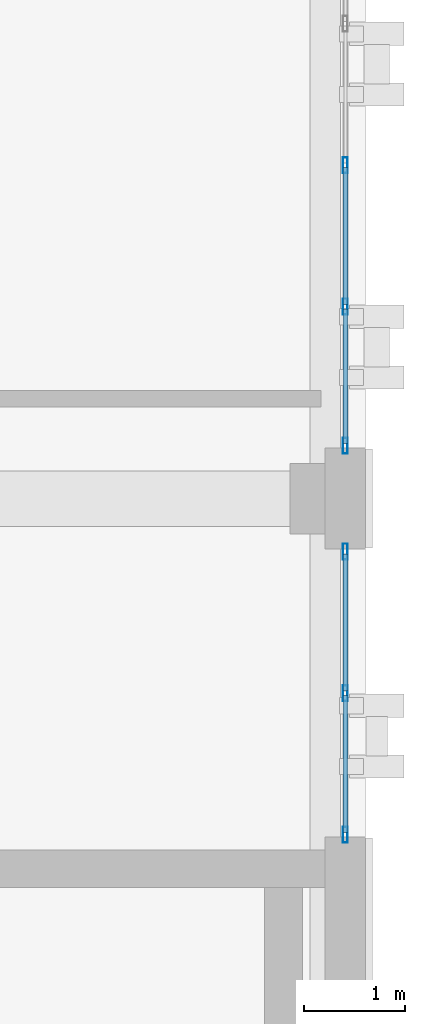
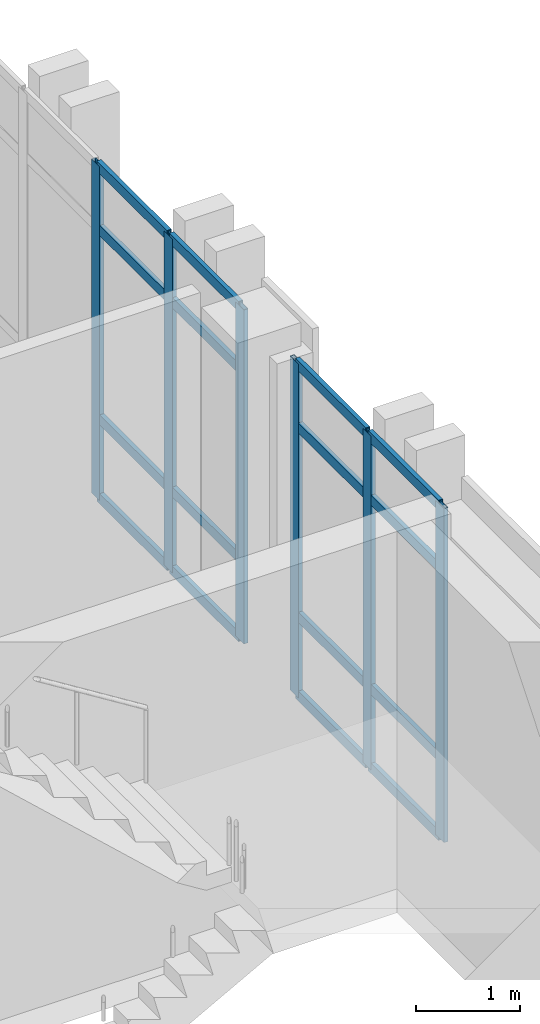
# One storey, part 59 of 158: 22 members, 2 elements without a shape of their own.
"""IFC4 building model written with IfcOpenShell, lengths in metres."""

from ifc_helpers import new_model, si_unit, direction, frame, origin, origin_2d, place, context, subcontext, project, spatial, hollow_rectangle, extrude, material, layer, layer_set, material_profile, profile_set, type_object, element, aggregate, save


model = new_model("IFC4")

# Units and contexts
model_context = context("Model", 3, precision=1e-05, world=origin(), true_north=direction((0.0, 1.0)))
body_context = subcontext(model_context, "Body", "Model", "MODEL_VIEW")
ifc_project = project(units=[si_unit("LENGTHUNIT", "METRE"), si_unit("AREAUNIT", "SQUARE_METRE"), si_unit("VOLUMEUNIT", "CUBIC_METRE"), si_unit("PLANEANGLEUNIT", "RADIAN"), si_unit("MASSUNIT", "GRAM", prefix="KILO")], contexts=[model_context])

# Site, building, storey
site_placement = place(None, origin())
site = spatial("IfcSite", under=ifc_project, at=site_placement, CompositionType="ELEMENT")
building_placement = place(site_placement, origin())
building = spatial("IfcBuilding", under=site, at=building_placement, Name="Qalavern Law Courts", CompositionType="ELEMENT")
storey_placement = place(building_placement, frame((0.0, 0.0, 18.60009765625)))
storey = spatial("IfcBuildingStorey", under=building, at=storey_placement, Name="L04", CompositionType="ELEMENT", Elevation=18.60009765625)

# Curtain wall, members
ifc_material_1 = material(Name="Anodised aluminium and insulated glazing", Category="aluminium")
ifc_layer = layer(ifc_material_1, 0.159912109375)
ifc_layer_set = layer_set([ifc_layer], Name="Anodised aluminium and insulated glazing")
curtain_wall_type = type_object("IfcCurtainWallType", Name="ENV-CW-CHAMB", PredefinedType="USERDEFINED", material=ifc_layer_set)
curtain_wall_1_placement = place(storey_placement, origin())
curtain_wall_1 = element("IfcCurtainWall", 1, at=curtain_wall_1_placement, inside=storey, type_object=curtain_wall_type, Name="V4 unitised curtain wall L04 east 1", ObjectType="UNITISED CURTAIN WALL", PredefinedType="USERDEFINED")
ifc_material_2 = material(Name="Anodised aluminium", Category="aluminium")
ifc_material_profile_1 = material_profile(ifc_material_2, hollow_rectangle(XDim=0.048095703125, YDim=0.159912109375, WallThickness=0.00390625, at=origin_2d()), Name="ALU MULLION 48x160")
ifc_profile_set_1 = profile_set([ifc_material_profile_1], Name="Anodised aluminium")
member_type_1 = type_object("IfcMemberType", Name="ENV-CWM-48x160", PredefinedType="MULLION", material=ifc_profile_set_1)
member_1_placement = place(storey_placement, frame((106.60009765625, 46.073974609375, 0.0), z_axis=(0.0, 0.0, 1.0), x_axis=(-1.0, 0.0, 0.0)))
member_1 = element("IfcMember", 2, at=member_1_placement, type_object=member_type_1, Name="CW-04 mullion 1", PredefinedType="MULLION", context=body_context, shape_type="SweptSolid", body=[
    extrude(hollow_rectangle(XDim=0.048095703125, YDim=0.159912109375, WallThickness=0.00390625, at=origin_2d()), origin(), (0.0, 0.0, 1.0), 3.9248046875),
])
member_2_placement = place(storey_placement, frame((106.60009765625, 47.47509765625, 0.0), z_axis=(0.0, 0.0, 1.0), x_axis=(-1.0, 0.0, 0.0)))
member_2 = element("IfcMember", 3, at=member_2_placement, type_object=member_type_1, Name="CW-04 mullion 2", PredefinedType="MULLION", context=body_context, shape_type="SweptSolid", body=[
    extrude(hollow_rectangle(XDim=0.048095703125, YDim=0.159912109375, WallThickness=0.00390625, at=origin_2d()), origin(), (0.0, 0.0, 1.0), 3.9248046875),
])
member_3_placement = place(storey_placement, frame((106.60009765625, 48.8759765625, 0.0), z_axis=(0.0, 0.0, 1.0), x_axis=(-1.0, 0.0, 0.0)))
member_3 = element("IfcMember", 4, at=member_3_placement, type_object=member_type_1, Name="CW-04 mullion 3", PredefinedType="MULLION", context=body_context, shape_type="SweptSolid", body=[
    extrude(hollow_rectangle(XDim=0.048095703125, YDim=0.159912109375, WallThickness=0.00390625, at=origin_2d()), origin(), (0.0, 0.0, 1.0), 3.9248046875),
])

curtain_wall_2_placement = place(storey_placement, origin())
curtain_wall_2 = element("IfcCurtainWall", 5, at=curtain_wall_2_placement, inside=storey, type_object=curtain_wall_type, Name="V4 unitised curtain wall L04 east 2", ObjectType="UNITISED CURTAIN WALL", PredefinedType="USERDEFINED")
member_4_placement = place(storey_placement, frame((106.60009765625, 49.924072265625, 0.0), z_axis=(0.0, 0.0, 1.0), x_axis=(-1.0, 0.0, 0.0)))
member_4 = element("IfcMember", 6, at=member_4_placement, type_object=member_type_1, Name="CW-04 mullion 1", PredefinedType="MULLION", context=body_context, shape_type="SweptSolid", body=[
    extrude(hollow_rectangle(XDim=0.048095703125, YDim=0.159912109375, WallThickness=0.00390625, at=origin_2d()), origin(), (0.0, 0.0, 1.0), 3.9248046875),
])
member_5_placement = place(storey_placement, frame((106.60009765625, 51.300048828125, 0.0), z_axis=(0.0, 0.0, 1.0), x_axis=(-1.0, 0.0, 0.0)))
member_5 = element("IfcMember", 7, at=member_5_placement, type_object=member_type_1, Name="CW-04 mullion 2", PredefinedType="MULLION", context=body_context, shape_type="SweptSolid", body=[
    extrude(hollow_rectangle(XDim=0.048095703125, YDim=0.159912109375, WallThickness=0.00390625, at=origin_2d()), origin(), (0.0, 0.0, 1.0), 3.9248046875),
])
member_6_placement = place(storey_placement, frame((106.60009765625, 52.699951171875, 0.0), z_axis=(0.0, 0.0, 1.0), x_axis=(-1.0, 0.0, 0.0)))
member_6 = element("IfcMember", 8, at=member_6_placement, type_object=member_type_1, Name="CW-04 mullion 3", PredefinedType="MULLION", context=body_context, shape_type="SweptSolid", body=[
    extrude(hollow_rectangle(XDim=0.048095703125, YDim=0.159912109375, WallThickness=0.00390625, at=origin_2d()), origin(), (0.0, 0.0, 1.0), 3.9248046875),
])

# Member
ifc_material_profile_2 = material_profile(ifc_material_2, hollow_rectangle(XDim=0.048095703125, YDim=0.1201171875, WallThickness=0.00390625, at=origin_2d()), Name="ALU TRANSOM 48x120")
ifc_profile_set_2 = profile_set([ifc_material_profile_2], Name="Anodised aluminium")
member_type_2 = type_object("IfcMemberType", Name="ENV-CWT-48x120", PredefinedType="USERDEFINED", material=ifc_profile_set_2)
member_7_placement = place(storey_placement, frame((106.60009765625, 46.097900390625, 0.02392578125), z_axis=(0.0, 1.0, 0.0), x_axis=(-1.0, 0.0, 0.0)))
member_7 = element("IfcMember", 9, at=member_7_placement, type_object=member_type_2, Name="CW-04 transom 1.1", ObjectType="TRANSOM", PredefinedType="USERDEFINED", context=body_context, shape_type="SweptSolid", body=[
    extrude(hollow_rectangle(XDim=0.048095703125, YDim=0.1201171875, WallThickness=0.00390625, at=origin_2d()), origin(), (0.0, 0.0, 1.0), 1.35302734375),
])

member_8_placement = place(storey_placement, frame((106.60009765625, 46.097900390625, 0.949951171875), z_axis=(0.0, 1.0, 0.0), x_axis=(-1.0, 0.0, 0.0)))
member_8 = element("IfcMember", 10, at=member_8_placement, type_object=member_type_2, Name="CW-04 transom 1.2", ObjectType="TRANSOM", PredefinedType="USERDEFINED", context=body_context, shape_type="SweptSolid", body=[
    extrude(hollow_rectangle(XDim=0.048095703125, YDim=0.1201171875, WallThickness=0.00390625, at=origin_2d()), origin(), (0.0, 0.0, 1.0), 1.35302734375),
])

member_9_placement = place(storey_placement, frame((106.60009765625, 46.097900390625, 3.1748046875), z_axis=(0.0, 1.0, 0.0), x_axis=(-1.0, 0.0, 0.0)))
member_9 = element("IfcMember", 11, at=member_9_placement, type_object=member_type_2, Name="CW-04 transom 1.3", ObjectType="TRANSOM", PredefinedType="USERDEFINED", context=body_context, shape_type="SweptSolid", body=[
    extrude(hollow_rectangle(XDim=0.048095703125, YDim=0.1201171875, WallThickness=0.00390625, at=origin_2d()), origin(), (0.0, 0.0, 1.0), 1.35302734375),
])

member_10_placement = place(storey_placement, frame((106.60009765625, 46.097900390625, 3.90087890625), z_axis=(0.0, 1.0, 0.0), x_axis=(-1.0, 0.0, 0.0)))
member_10 = element("IfcMember", 12, at=member_10_placement, type_object=member_type_2, Name="CW-04 transom 1.4", ObjectType="TRANSOM", PredefinedType="USERDEFINED", context=body_context, shape_type="SweptSolid", body=[
    extrude(hollow_rectangle(XDim=0.048095703125, YDim=0.1201171875, WallThickness=0.00390625, at=origin_2d()), origin(), (0.0, 0.0, 1.0), 1.35302734375),
])

member_11_placement = place(storey_placement, frame((106.60009765625, 47.4990234375, 0.02392578125), z_axis=(0.0, 1.0, 0.0), x_axis=(-1.0, 0.0, 0.0)))
member_11 = element("IfcMember", 13, at=member_11_placement, type_object=member_type_2, Name="CW-04 transom 2.1", ObjectType="TRANSOM", PredefinedType="USERDEFINED", context=body_context, shape_type="SweptSolid", body=[
    extrude(hollow_rectangle(XDim=0.048095703125, YDim=0.1201171875, WallThickness=0.00390625, at=origin_2d()), origin(), (0.0, 0.0, 1.0), 1.35302734375),
])

member_12_placement = place(storey_placement, frame((106.60009765625, 47.4990234375, 0.949951171875), z_axis=(0.0, 1.0, 0.0), x_axis=(-1.0, 0.0, 0.0)))
member_12 = element("IfcMember", 14, at=member_12_placement, type_object=member_type_2, Name="CW-04 transom 2.2", ObjectType="TRANSOM", PredefinedType="USERDEFINED", context=body_context, shape_type="SweptSolid", body=[
    extrude(hollow_rectangle(XDim=0.048095703125, YDim=0.1201171875, WallThickness=0.00390625, at=origin_2d()), origin(), (0.0, 0.0, 1.0), 1.35302734375),
])

member_13_placement = place(storey_placement, frame((106.60009765625, 47.4990234375, 3.1748046875), z_axis=(0.0, 1.0, 0.0), x_axis=(-1.0, 0.0, 0.0)))
member_13 = element("IfcMember", 15, at=member_13_placement, type_object=member_type_2, Name="CW-04 transom 2.3", ObjectType="TRANSOM", PredefinedType="USERDEFINED", context=body_context, shape_type="SweptSolid", body=[
    extrude(hollow_rectangle(XDim=0.048095703125, YDim=0.1201171875, WallThickness=0.00390625, at=origin_2d()), origin(), (0.0, 0.0, 1.0), 1.35302734375),
])

member_14_placement = place(storey_placement, frame((106.60009765625, 47.4990234375, 3.90087890625), z_axis=(0.0, 1.0, 0.0), x_axis=(-1.0, 0.0, 0.0)))
member_14 = element("IfcMember", 16, at=member_14_placement, type_object=member_type_2, Name="CW-04 transom 2.4", ObjectType="TRANSOM", PredefinedType="USERDEFINED", context=body_context, shape_type="SweptSolid", body=[
    extrude(hollow_rectangle(XDim=0.048095703125, YDim=0.1201171875, WallThickness=0.00390625, at=origin_2d()), origin(), (0.0, 0.0, 1.0), 1.35302734375),
])

aggregate(curtain_wall_1, [member_1, member_2, member_3, member_7, member_8, member_9, member_10, member_11, member_12, member_13, member_14])

member_15_placement = place(storey_placement, frame((106.60009765625, 49.947998046875, 0.02392578125), z_axis=(0.0, 1.0, 0.0), x_axis=(-1.0, 0.0, 0.0)))
member_15 = element("IfcMember", 17, at=member_15_placement, type_object=member_type_2, Name="CW-04 transom 1.1", ObjectType="TRANSOM", PredefinedType="USERDEFINED", context=body_context, shape_type="SweptSolid", body=[
    extrude(hollow_rectangle(XDim=0.048095703125, YDim=0.1201171875, WallThickness=0.00390625, at=origin_2d()), origin(), (0.0, 0.0, 1.0), 1.327880859375),
])

member_16_placement = place(storey_placement, frame((106.60009765625, 49.947998046875, 0.949951171875), z_axis=(0.0, 1.0, 0.0), x_axis=(-1.0, 0.0, 0.0)))
member_16 = element("IfcMember", 18, at=member_16_placement, type_object=member_type_2, Name="CW-04 transom 1.2", ObjectType="TRANSOM", PredefinedType="USERDEFINED", context=body_context, shape_type="SweptSolid", body=[
    extrude(hollow_rectangle(XDim=0.048095703125, YDim=0.1201171875, WallThickness=0.00390625, at=origin_2d()), origin(), (0.0, 0.0, 1.0), 1.327880859375),
])

member_17_placement = place(storey_placement, frame((106.60009765625, 49.947998046875, 3.1748046875), z_axis=(0.0, 1.0, 0.0), x_axis=(-1.0, 0.0, 0.0)))
member_17 = element("IfcMember", 19, at=member_17_placement, type_object=member_type_2, Name="CW-04 transom 1.3", ObjectType="TRANSOM", PredefinedType="USERDEFINED", context=body_context, shape_type="SweptSolid", body=[
    extrude(hollow_rectangle(XDim=0.048095703125, YDim=0.1201171875, WallThickness=0.00390625, at=origin_2d()), origin(), (0.0, 0.0, 1.0), 1.327880859375),
])

member_18_placement = place(storey_placement, frame((106.60009765625, 49.947998046875, 3.90087890625), z_axis=(0.0, 1.0, 0.0), x_axis=(-1.0, 0.0, 0.0)))
member_18 = element("IfcMember", 20, at=member_18_placement, type_object=member_type_2, Name="CW-04 transom 1.4", ObjectType="TRANSOM", PredefinedType="USERDEFINED", context=body_context, shape_type="SweptSolid", body=[
    extrude(hollow_rectangle(XDim=0.048095703125, YDim=0.1201171875, WallThickness=0.00390625, at=origin_2d()), origin(), (0.0, 0.0, 1.0), 1.327880859375),
])

member_19_placement = place(storey_placement, frame((106.60009765625, 51.323974609375, 0.02392578125), z_axis=(0.0, 1.0, 0.0), x_axis=(-1.0, 0.0, 0.0)))
member_19 = element("IfcMember", 21, at=member_19_placement, type_object=member_type_2, Name="CW-04 transom 2.1", ObjectType="TRANSOM", PredefinedType="USERDEFINED", context=body_context, shape_type="SweptSolid", body=[
    extrude(hollow_rectangle(XDim=0.048095703125, YDim=0.1201171875, WallThickness=0.00390625, at=origin_2d()), origin(), (0.0, 0.0, 1.0), 1.35205078125),
])

member_20_placement = place(storey_placement, frame((106.60009765625, 51.323974609375, 0.949951171875), z_axis=(0.0, 1.0, 0.0), x_axis=(-1.0, 0.0, 0.0)))
member_20 = element("IfcMember", 22, at=member_20_placement, type_object=member_type_2, Name="CW-04 transom 2.2", ObjectType="TRANSOM", PredefinedType="USERDEFINED", context=body_context, shape_type="SweptSolid", body=[
    extrude(hollow_rectangle(XDim=0.048095703125, YDim=0.1201171875, WallThickness=0.00390625, at=origin_2d()), origin(), (0.0, 0.0, 1.0), 1.35205078125),
])

member_21_placement = place(storey_placement, frame((106.60009765625, 51.323974609375, 3.1748046875), z_axis=(0.0, 1.0, 0.0), x_axis=(-1.0, 0.0, 0.0)))
member_21 = element("IfcMember", 23, at=member_21_placement, type_object=member_type_2, Name="CW-04 transom 2.3", ObjectType="TRANSOM", PredefinedType="USERDEFINED", context=body_context, shape_type="SweptSolid", body=[
    extrude(hollow_rectangle(XDim=0.048095703125, YDim=0.1201171875, WallThickness=0.00390625, at=origin_2d()), origin(), (0.0, 0.0, 1.0), 1.35205078125),
])

member_22_placement = place(storey_placement, frame((106.60009765625, 51.323974609375, 3.90087890625), z_axis=(0.0, 1.0, 0.0), x_axis=(-1.0, 0.0, 0.0)))
member_22 = element("IfcMember", 24, at=member_22_placement, type_object=member_type_2, Name="CW-04 transom 2.4", ObjectType="TRANSOM", PredefinedType="USERDEFINED", context=body_context, shape_type="SweptSolid", body=[
    extrude(hollow_rectangle(XDim=0.048095703125, YDim=0.1201171875, WallThickness=0.00390625, at=origin_2d()), origin(), (0.0, 0.0, 1.0), 1.35205078125),
])

aggregate(curtain_wall_2, [member_4, member_5, member_6, member_15, member_16, member_17, member_18, member_19, member_20, member_21, member_22])

save(model, "model.ifc")
